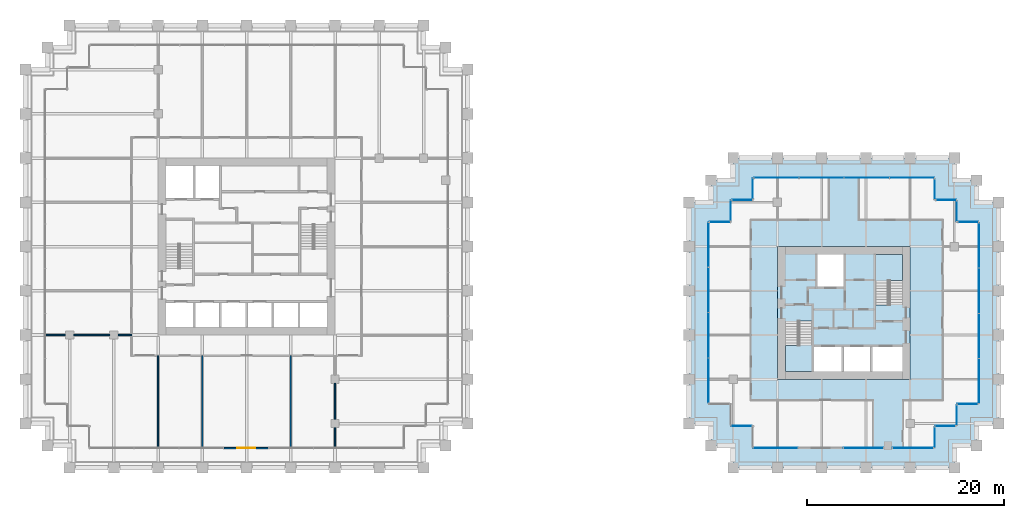
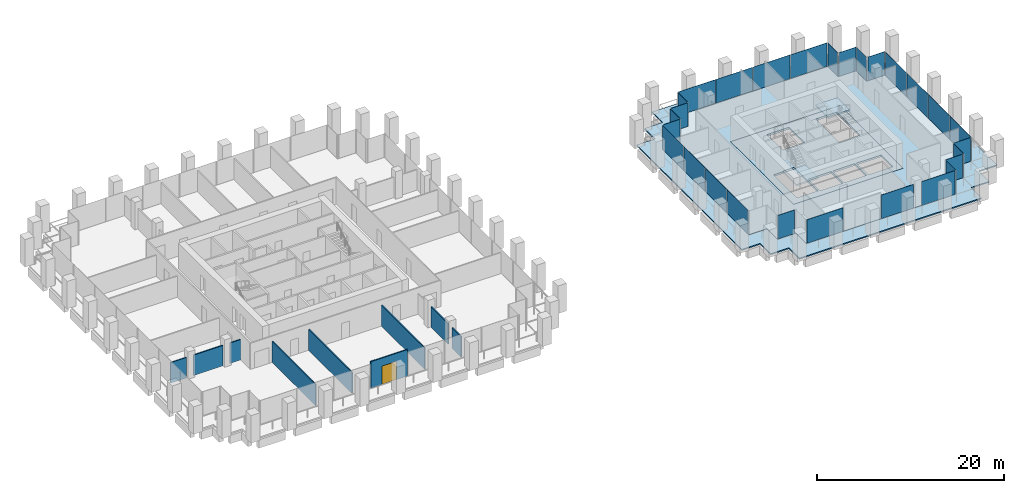
# One storey, part 48 of 55: 28 plates, 9 walls, 5 slabs, 1 door, 1 opening, 21 elements without a shape of their own.
"""IFC4 building model written with IfcOpenShell, lengths in metres."""

import ifcopenshell
import ifcopenshell.guid

model = None  # the IFC model being written
_history = None  # IfcOwnerHistory: only IFC2X3 demands one
_inside = {}  # id of a spatial element -> (the spatial element, [elements in it])
_under = {}  # id of a project, library or spatial element -> (it, [spatial elements below it])
_declared = {}  # id of a project -> (the project, [libraries it declares])
_typed = {}  # id of a type object -> (the type object, [elements of that type])
_made_of = {}  # id of a material, layer set ... -> (it, [elements and type objects made of it])


def new_model(schema):
    """Start an empty IFC model of exactly this schema.

    Asked for "IFC4X3", IfcOpenShell would pick the latest addendum, in which some entities
    have other attributes; the version numbers below select the first issue.
    IFC2X3 requires an IfcOwnerHistory on every rooted entity: one is made here for all.
    """
    global model, _history
    if schema == "IFC4X3":
        model = ifcopenshell.file(schema_version=(4, 3, 0, 0))
    else:
        model = ifcopenshell.file(schema=schema)
    _inside.clear()
    _under.clear()
    _declared.clear()
    _typed.clear()
    _made_of.clear()
    _history = None
    if model.schema == "IFC2X3":
        org = make("IfcOrganization", Name="unknown")
        user = make(
            "IfcPersonAndOrganization",
            ThePerson=make("IfcPerson", FamilyName="unknown"),
            TheOrganization=org,
        )
        app = make(
            "IfcApplication",
            ApplicationDeveloper=org,
            Version="unknown",
            ApplicationFullName="unknown",
            ApplicationIdentifier="unknown",
        )
        _history = make(
            "IfcOwnerHistory",
            OwningUser=user,
            OwningApplication=app,
            ChangeAction="ADDED",
            CreationDate=0,
        )
    return model


def make(cls, **values):
    """One entity of the class cls with the attributes given. An attribute that is None is left unset."""
    return model.create_entity(
        cls, **{name: value for name, value in values.items() if value is not None}
    )


def rooted(cls, **values):
    """An entity with a GlobalId (a new one), such as an element, a storey or a relation."""
    return make(cls, GlobalId=ifcopenshell.guid.new(), OwnerHistory=_history, **values)


def si_unit(unit_type, name, prefix=None):
    """IfcSIUnit, for example si_unit("LENGTHUNIT", "METRE", prefix="MILLI")."""
    return make("IfcSIUnit", UnitType=unit_type, Prefix=prefix, Name=name)


def assignment(units):
    """IfcUnitAssignment: the units of a project."""
    return None if units is None else make("IfcUnitAssignment", Units=units)


def point(xyz):
    """IfcCartesianPoint."""
    return None if xyz is None else make("IfcCartesianPoint", Coordinates=xyz)


def direction(xyz):
    """IfcDirection."""
    return None if xyz is None else make("IfcDirection", DirectionRatios=xyz)


def frame(location, z_axis=None, x_axis=None):
    """IfcAxis2Placement3D, a coordinate frame: its origin and axes. An axis left out is left unset."""
    return make(
        "IfcAxis2Placement3D",
        Location=point(location),
        Axis=direction(z_axis),
        RefDirection=direction(x_axis),
    )


def frame_2d(location, x_axis=None):
    """IfcAxis2Placement2D, a coordinate frame in the plane: its origin and x axis."""
    return make(
        "IfcAxis2Placement2D", Location=point(location), RefDirection=direction(x_axis)
    )


def origin():
    """The frame at (0, 0, 0) with its axes left unset."""
    return frame((0.0, 0.0, 0.0))


def origin_2d():
    """The frame at (0, 0) in the plane with its x axis left unset."""
    return frame_2d((0.0, 0.0))


def place(relative_to, where):
    """IfcLocalPlacement: puts the frame where relative to a parent placement (None: the world)."""
    return make(
        "IfcLocalPlacement", PlacementRelTo=relative_to, RelativePlacement=where
    )


def context(
    kind, dimensions, precision=None, world=None, true_north=None, identifier=None
):
    """IfcGeometricRepresentationContext, for example the 3D "Model" context."""
    return make(
        "IfcGeometricRepresentationContext",
        ContextIdentifier=identifier,
        ContextType=kind,
        CoordinateSpaceDimension=dimensions,
        Precision=precision,
        WorldCoordinateSystem=world,
        TrueNorth=true_north,
    )


def subcontext(parent, identifier, kind, view, scale=None):
    """IfcGeometricRepresentationSubContext, for example "Body" below "Model"."""
    return make(
        "IfcGeometricRepresentationSubContext",
        ContextIdentifier=identifier,
        ContextType=kind,
        ParentContext=parent,
        TargetScale=scale,
        TargetView=view,
    )


def project(units=None, contexts=None):
    """IfcProject with its units and contexts."""
    return rooted(
        "IfcProject",
        Name="project",
        RepresentationContexts=contexts,
        UnitsInContext=assignment(units),
    )


def spatial(cls, under=None, at=None, **own):
    """A site, building, storey or space (cls), placed at a placement, below another one or the project."""
    s = rooted(cls, ObjectPlacement=at, **own)
    if under is not None:
        _under.setdefault(under.id(), (under, []))[1].append(s)
    return s


def polyline(points):
    """IfcPolyline through the points."""
    return make("IfcPolyline", Points=[point(p) for p in points])


def profile(cls, at=None, kind="AREA", **sizes):
    """A parametric profile (cls). Its sizes go by their IFC names, for example OverallWidth=200.0."""
    return make(cls, ProfileType=kind, Position=at, **sizes)


def rectangle(**sizes):
    """IfcRectangleProfileDef."""
    return profile("IfcRectangleProfileDef", **sizes)


def outline(outer, holes=None, kind="AREA"):
    """IfcArbitraryClosedProfileDef: a profile drawn as a closed curve; with holes, ...WithVoids."""
    if holes is None:
        return make("IfcArbitraryClosedProfileDef", ProfileType=kind, OuterCurve=outer)
    return make(
        "IfcArbitraryProfileDefWithVoids",
        ProfileType=kind,
        OuterCurve=outer,
        InnerCurves=holes,
    )


def extrude(swept, where, along, depth):
    """IfcExtrudedAreaSolid: the profile swept, set in the frame where, extruded along a direction by depth."""
    return make(
        "IfcExtrudedAreaSolid",
        SweptArea=swept,
        Position=where,
        ExtrudedDirection=direction(along),
        Depth=depth,
    )


def shape(context_of_items, identifier, shape_type, items):
    """IfcShapeRepresentation: the items that make up one representation, for example the "Body"."""
    return make(
        "IfcShapeRepresentation",
        ContextOfItems=context_of_items,
        RepresentationIdentifier=identifier,
        RepresentationType=shape_type,
        Items=items,
    )


def material(Name=None, Category=None):
    """IfcMaterial."""
    return make("IfcMaterial", Name=Name, Category=Category)


def layer(
    of_material, thickness, ventilated=None, Name=None, Category=None, Priority=None
):
    """IfcMaterialLayer: one layer of a wall or slab, of a material (None: an air gap)."""
    return make(
        "IfcMaterialLayer",
        Material=of_material,
        LayerThickness=thickness,
        IsVentilated=ventilated,
        Name=Name,
        Category=Category,
        Priority=Priority,
    )


def layer_set(layers, Name=None):
    """IfcMaterialLayerSet."""
    return make("IfcMaterialLayerSet", MaterialLayers=layers, LayerSetName=Name)


def made_of(thing, what):
    """Note that an element or type object is made of a material, layer set ...; save() writes the relation."""
    if what is not None:
        _made_of.setdefault(what.id(), (what, []))[1].append(thing)
    return thing


def type_object(cls, material=None, **own):
    """A type object (cls), such as IfcWallType, which elements share."""
    return made_of(rooted(cls, **own), material)


def element(
    cls,
    number,
    at=None,
    inside=None,
    cuts=None,
    type_object=None,
    material=None,
    context=None,
    identifier="Body",
    shape_type=None,
    held_by="IfcProductDefinitionShape",
    body=None,
    shapes=None,
    **own,
):
    """One element of the class cls, such as IfcWall. Its Tag is "e" and its number.

    at: its placement. inside: the storey or other place that contains it. cuts: it is an
    opening in that element (IfcRelVoidsElement). A single representation is given by context,
    identifier, shape_type and body (its items); several are given by shapes. held_by: the class
    of the entity that holds the representations. save() writes the other relations.
    """
    e = rooted(cls, Tag="e%d" % number, ObjectPlacement=at, **own)
    if body is not None:
        shapes = [shape(context, identifier, shape_type, body)]
    if shapes is not None:
        e.Representation = make(held_by, Representations=shapes)
    if inside is not None:
        _inside.setdefault(inside.id(), (inside, []))[1].append(e)
    if cuts is not None:
        rooted(
            "IfcRelVoidsElement", RelatingBuildingElement=cuts, RelatedOpeningElement=e
        )
    if type_object is not None:
        _typed.setdefault(type_object.id(), (type_object, []))[1].append(e)
    return made_of(e, material)


def fill(opening, filler):
    """IfcRelFillsElement: the door or window that sits in an opening."""
    return rooted(
        "IfcRelFillsElement",
        RelatingOpeningElement=opening,
        RelatedBuildingElement=filler,
    )


def aggregate(whole, parts):
    """IfcRelAggregates: a whole, such as a stair, and the parts it consists of."""
    return rooted("IfcRelAggregates", RelatingObject=whole, RelatedObjects=parts)


def save(model, path):
    """Write the relations noted so far, then the file.

    IfcRelAggregates (storeys below a building ...), IfcRelContainedInSpatialStructure (elements
    in a storey), IfcRelDefinesByType, IfcRelAssociatesMaterial and IfcRelDeclares: one each for
    every whole, place, type object, material and project.
    """
    for whole, parts in _under.values():
        aggregate(whole, parts)
    for where, things in _inside.values():
        rooted(
            "IfcRelContainedInSpatialStructure",
            RelatedElements=things,
            RelatingStructure=where,
        )
    for kind, things in _typed.values():
        rooted("IfcRelDefinesByType", RelatedObjects=things, RelatingType=kind)
    for what, things in _made_of.values():
        rooted("IfcRelAssociatesMaterial", RelatedObjects=things, RelatingMaterial=what)
    for by, libraries in _declared.values():
        rooted("IfcRelDeclares", RelatingContext=by, RelatedDefinitions=libraries)
    model.write(path)


model = new_model("IFC4")

# Units and contexts
model_context = context("Model", 3, precision=1e-05, world=origin(), true_north=direction((0.0, 1.0)))
body_context = subcontext(model_context, "Body", "Model", "MODEL_VIEW")
ifc_project = project(units=[si_unit("LENGTHUNIT", "METRE"), si_unit("AREAUNIT", "SQUARE_METRE"), si_unit("VOLUMEUNIT", "CUBIC_METRE"), si_unit("PLANEANGLEUNIT", "RADIAN"), si_unit("MASSUNIT", "GRAM", prefix="KILO")], contexts=[model_context])

# Site, building, storey
site_placement = place(None, origin())
site = spatial("IfcSite", under=ifc_project, at=site_placement, CompositionType="ELEMENT")
building_placement = place(site_placement, origin())
building = spatial("IfcBuilding", under=site, at=building_placement, Name="Altepetl Exchange Towers", CompositionType="ELEMENT")
storey_placement = place(building_placement, frame((0.0, 0.0, 47.39990234375)))
storey = spatial("IfcBuildingStorey", under=building, at=storey_placement, Name="L10", CompositionType="ELEMENT", Elevation=47.39990234375)

# Slabs
ifc_material_1 = material(Name="Concrete C40/50", Category="concrete")
ifc_layer_1 = layer(ifc_material_1, 0.14990234375)
ifc_layer_set_1 = layer_set([ifc_layer_1], Name="Concrete C40/50")
slab_type_1 = type_object("IfcSlabType", Name="Composite floor slab 150", PredefinedType="FLOOR", material=ifc_layer_set_1)
slab_1_placement = place(storey_placement, frame((0.0, 0.0, -0.14990234375)))
element("IfcSlab", 1, at=slab_1_placement, inside=storey, type_object=slab_type_1, Name="slab:B:L10:strip0", PredefinedType="FLOOR", context=body_context, shape_type="SweptSolid", body=[
    extrude(outline(polyline([(98.75, 54.25), (98.75, 52.0), (96.5, 52.0), (96.5, 33.5), (98.75, 33.5), (98.75, 31.25), (101.0, 31.25), (101.0, 29.0), (119.5, 29.0), (119.5, 31.25), (121.75, 31.25), (121.75, 33.5), (124.0, 33.5), (124.0, 52.0), (121.75, 52.0), (121.75, 54.25), (119.5, 54.25), (119.5, 56.5), (101.0, 56.5), (101.0, 54.25), (98.75, 54.25)]), holes=[polyline([(117.0, 49.5), (117.0, 36.0), (103.5, 36.0), (103.5, 49.5), (117.0, 49.5)])]), origin(), (0.0, 0.0, 1.0), 0.14990234375),
])
ifc_layer_2 = layer(ifc_material_1, 0.25)
ifc_layer_set_2 = layer_set([ifc_layer_2], Name="Concrete C40/50")
slab_type_2 = type_object("IfcSlabType", Name="Core floor slab 250", PredefinedType="FLOOR", material=ifc_layer_set_2)
slab_2_placement = place(storey_placement, frame((0.0, 0.0, -0.25)))
element("IfcSlab", 2, at=slab_2_placement, inside=storey, type_object=slab_type_2, Name="slab:B:L10:core0", PredefinedType="FLOOR", context=body_context, shape_type="SweptSolid", body=[
    extrude(outline(polyline([(103.5, 36.0), (117.0, 36.0), (117.0, 49.5), (103.5, 49.5), (103.5, 36.0)]), holes=[polyline([(107.199951171875, 36.800048828125), (107.199951171875, 39.300048828125), (110.032958984375, 39.300048828125), (110.032958984375, 36.800048828125), (107.199951171875, 36.800048828125)]), polyline([(110.23291015625, 39.300048828125), (112.967041015625, 39.300048828125), (112.967041015625, 36.800048828125), (110.23291015625, 36.800048828125), (110.23291015625, 39.300048828125)]), polyline([(113.1669921875, 39.300048828125), (116.199951171875, 39.300048828125), (116.199951171875, 36.800048828125), (113.1669921875, 36.800048828125), (113.1669921875, 39.300048828125)]), polyline([(107.0, 36.89990234375), (104.39990234375, 36.89990234375), (104.39990234375, 41.85009765625), (105.60009765625, 41.85009765625), (105.60009765625, 41.948974609375), (107.0, 41.948974609375), (107.0, 36.89990234375)]), polyline([(116.10009765625, 48.60009765625), (116.10009765625, 43.64990234375), (114.89990234375, 43.64990234375), (114.89990234375, 43.551025390625), (113.5, 43.551025390625), (113.5, 48.60009765625), (116.10009765625, 48.60009765625)]), polyline([(107.532958984375, 48.699951171875), (110.26708984375, 48.699951171875), (110.26708984375, 45.39990234375), (107.532958984375, 45.39990234375), (107.532958984375, 48.699951171875)])]), origin(), (0.0, 0.0, 1.0), 0.25),
])

# Curtain wall, plate
ifc_material_2 = material(Name="Aluminium 6063-T6 glazing", Category="aluminium")
curtain_wall_type = type_object("IfcCurtainWallType", Name="Loggia glazing system", PredefinedType="NOTDEFINED", material=ifc_material_2)
curtain_wall_1_placement = place(storey_placement, origin())
curtain_wall_1 = element("IfcCurtainWall", 3, at=curtain_wall_1_placement, inside=storey, type_object=curtain_wall_type, Name="CW1 run", PredefinedType="NOTDEFINED")
ifc_material_3 = material(Name="Glass 6-16-6 low emissivity", Category="glass")
ifc_layer_3 = layer(ifc_material_3, 0.028076171875)
ifc_layer_set_3 = layer_set([ifc_layer_3], Name="Glass 6-16-6 low emissivity")
plate_type = type_object("IfcPlateType", Name="Glass panel 28 double glazed", PredefinedType="CURTAIN_PANEL", material=ifc_layer_set_3)
plate_1_placement = place(storey_placement, frame((97.66259765625, 52.0, 0.0), z_axis=(0.0, 0.0, 1.0), x_axis=(-1.0, 0.0, 0.0)))
plate_1 = element("IfcPlate", 4, at=plate_1_placement, type_object=plate_type, Name="GP1 panel", PredefinedType="CURTAIN_PANEL", context=body_context, shape_type="SweptSolid", body=[
    extrude(rectangle(XDim=2.054931640625, YDim=0.028076171875, at=origin_2d()), origin(), (0.0, 0.0, 1.0), 3.10009765625),
])
aggregate(curtain_wall_1, [plate_1])

# Curtain wall, plates
curtain_wall_2_placement = place(storey_placement, origin())
curtain_wall_2 = element("IfcCurtainWall", 5, at=curtain_wall_2_placement, inside=storey, type_object=curtain_wall_type, Name="CW1 run", PredefinedType="NOTDEFINED")
plate_2_placement = place(storey_placement, frame((96.5, 49.681884765625, 0.0), z_axis=(0.0, 0.0, 1.0), x_axis=(0.0, -1.0, 0.0)))
plate_2 = element("IfcPlate", 6, at=plate_2_placement, type_object=plate_type, Name="GP1 panel", PredefinedType="CURTAIN_PANEL", context=body_context, shape_type="SweptSolid", body=[
    extrude(rectangle(XDim=4.516357421875, YDim=0.028076171875, at=origin_2d()), origin(), (0.0, 0.0, 1.0), 3.10009765625),
])
plate_3_placement = place(storey_placement, frame((96.5, 45.090576171875, 0.0), z_axis=(0.0, 0.0, 1.0), x_axis=(0.0, -1.0, 0.0)))
plate_3 = element("IfcPlate", 7, at=plate_3_placement, type_object=plate_type, Name="GP1 panel", PredefinedType="CURTAIN_PANEL", context=body_context, shape_type="SweptSolid", body=[
    extrude(rectangle(XDim=4.546142578125, YDim=0.028076171875, at=origin_2d()), origin(), (0.0, 0.0, 1.0), 3.10009765625),
])
plate_4_placement = place(storey_placement, frame((96.5, 40.484375, 0.0), z_axis=(0.0, 0.0, 1.0), x_axis=(0.0, -1.0, 0.0)))
plate_4 = element("IfcPlate", 8, at=plate_4_placement, type_object=plate_type, Name="GP1 panel", PredefinedType="CURTAIN_PANEL", context=body_context, shape_type="SweptSolid", body=[
    extrude(rectangle(XDim=4.546142578125, YDim=0.028076171875, at=origin_2d()), origin(), (0.0, 0.0, 1.0), 3.10009765625),
])
plate_5_placement = place(storey_placement, frame((96.5, 35.89306640625, 0.0), z_axis=(0.0, 0.0, 1.0), x_axis=(0.0, -1.0, 0.0)))
plate_5 = element("IfcPlate", 9, at=plate_5_placement, type_object=plate_type, Name="GP1 panel", PredefinedType="CURTAIN_PANEL", context=body_context, shape_type="SweptSolid", body=[
    extrude(rectangle(XDim=4.516357421875, YDim=0.028076171875, at=origin_2d()), origin(), (0.0, 0.0, 1.0), 3.10009765625),
])
aggregate(curtain_wall_2, [plate_2, plate_3, plate_4, plate_5])

# Curtain wall, plate
curtain_wall_3_placement = place(storey_placement, origin())
curtain_wall_3 = element("IfcCurtainWall", 10, at=curtain_wall_3_placement, inside=storey, type_object=curtain_wall_type, Name="CW1 run", PredefinedType="NOTDEFINED")
plate_6_placement = place(storey_placement, frame((99.83740234375, 31.25, 0.0)))
plate_6 = element("IfcPlate", 11, at=plate_6_placement, type_object=plate_type, Name="GP1 panel", PredefinedType="CURTAIN_PANEL", context=body_context, shape_type="SweptSolid", body=[
    extrude(rectangle(XDim=2.054931640625, YDim=0.028076171875, at=origin_2d()), origin(), (0.0, 0.0, 1.0), 3.10009765625),
])
aggregate(curtain_wall_3, [plate_6])

curtain_wall_4_placement = place(storey_placement, origin())
curtain_wall_4 = element("IfcCurtainWall", 12, at=curtain_wall_4_placement, inside=storey, type_object=curtain_wall_type, Name="CW1 run", PredefinedType="NOTDEFINED")
plate_7_placement = place(storey_placement, frame((103.30322265625, 29.0, 0.0)))
plate_7 = element("IfcPlate", 13, at=plate_7_placement, type_object=plate_type, Name="GP1 panel", PredefinedType="CURTAIN_PANEL", context=body_context, shape_type="SweptSolid", body=[
    extrude(rectangle(XDim=4.486328125, YDim=0.028076171875, at=origin_2d()), origin(), (0.0, 0.0, 1.0), 3.10009765625),
])
aggregate(curtain_wall_4, [plate_7])

curtain_wall_5_placement = place(storey_placement, origin())
curtain_wall_5 = element("IfcCurtainWall", 14, at=curtain_wall_5_placement, inside=storey, type_object=curtain_wall_type, Name="CW1 run", PredefinedType="NOTDEFINED")
plate_8_placement = place(storey_placement, frame((112.2587890625, 29.0, 0.0)))
plate_8 = element("IfcPlate", 15, at=plate_8_placement, type_object=plate_type, Name="GP1 panel", PredefinedType="CURTAIN_PANEL", context=body_context, shape_type="SweptSolid", body=[
    extrude(rectangle(XDim=3.972412109375, YDim=0.028076171875, at=origin_2d()), origin(), (0.0, 0.0, 1.0), 3.10009765625),
])
aggregate(curtain_wall_5, [plate_8])

curtain_wall_6_placement = place(storey_placement, origin())
curtain_wall_6 = element("IfcCurtainWall", 16, at=curtain_wall_6_placement, inside=storey, type_object=curtain_wall_type, Name="CW1 run", PredefinedType="NOTDEFINED")
plate_9_placement = place(storey_placement, frame((117.31005859375, 29.0, 0.0)))
plate_9 = element("IfcPlate", 17, at=plate_9_placement, type_object=plate_type, Name="GP1 panel", PredefinedType="CURTAIN_PANEL", context=body_context, shape_type="SweptSolid", body=[
    extrude(rectangle(XDim=4.110107421875, YDim=0.028076171875, at=origin_2d()), origin(), (0.0, 0.0, 1.0), 3.10009765625),
])
aggregate(curtain_wall_6, [plate_9])

curtain_wall_7_placement = place(storey_placement, origin())
curtain_wall_7 = element("IfcCurtainWall", 18, at=curtain_wall_7_placement, inside=storey, type_object=curtain_wall_type, Name="CW1 run", PredefinedType="NOTDEFINED")
plate_10_placement = place(storey_placement, frame((119.5, 30.08740234375, 0.0), z_axis=(0.0, 0.0, 1.0), x_axis=(0.0, 1.0, 0.0)))
plate_10 = element("IfcPlate", 19, at=plate_10_placement, type_object=plate_type, Name="GP1 panel", PredefinedType="CURTAIN_PANEL", context=body_context, shape_type="SweptSolid", body=[
    extrude(rectangle(XDim=2.054931640625, YDim=0.028076171875, at=origin_2d()), origin(), (0.0, 0.0, 1.0), 3.10009765625),
])
aggregate(curtain_wall_7, [plate_10])

curtain_wall_8_placement = place(storey_placement, origin())
curtain_wall_8 = element("IfcCurtainWall", 20, at=curtain_wall_8_placement, inside=storey, type_object=curtain_wall_type, Name="CW1 run", PredefinedType="NOTDEFINED")
plate_11_placement = place(storey_placement, frame((120.58740234375, 31.25, 0.0)))
plate_11 = element("IfcPlate", 21, at=plate_11_placement, type_object=plate_type, Name="GP1 panel", PredefinedType="CURTAIN_PANEL", context=body_context, shape_type="SweptSolid", body=[
    extrude(rectangle(XDim=2.054931640625, YDim=0.028076171875, at=origin_2d()), origin(), (0.0, 0.0, 1.0), 3.10009765625),
])
aggregate(curtain_wall_8, [plate_11])

curtain_wall_9_placement = place(storey_placement, origin())
curtain_wall_9 = element("IfcCurtainWall", 22, at=curtain_wall_9_placement, inside=storey, type_object=curtain_wall_type, Name="CW1 run", PredefinedType="NOTDEFINED")
plate_12_placement = place(storey_placement, frame((121.75, 32.33740234375, 0.0), z_axis=(0.0, 0.0, 1.0), x_axis=(0.0, 1.0, 0.0)))
plate_12 = element("IfcPlate", 23, at=plate_12_placement, type_object=plate_type, Name="GP1 panel", PredefinedType="CURTAIN_PANEL", context=body_context, shape_type="SweptSolid", body=[
    extrude(rectangle(XDim=2.054931640625, YDim=0.028076171875, at=origin_2d()), origin(), (0.0, 0.0, 1.0), 3.10009765625),
])
aggregate(curtain_wall_9, [plate_12])

curtain_wall_10_placement = place(storey_placement, origin())
curtain_wall_10 = element("IfcCurtainWall", 24, at=curtain_wall_10_placement, inside=storey, type_object=curtain_wall_type, Name="CW1 run", PredefinedType="NOTDEFINED")
plate_13_placement = place(storey_placement, frame((122.83740234375, 33.5, 0.0)))
plate_13 = element("IfcPlate", 25, at=plate_13_placement, type_object=plate_type, Name="GP1 panel", PredefinedType="CURTAIN_PANEL", context=body_context, shape_type="SweptSolid", body=[
    extrude(rectangle(XDim=2.054931640625, YDim=0.028076171875, at=origin_2d()), origin(), (0.0, 0.0, 1.0), 3.10009765625),
])
aggregate(curtain_wall_10, [plate_13])

# Curtain wall, plates
curtain_wall_11_placement = place(storey_placement, origin())
curtain_wall_11 = element("IfcCurtainWall", 26, at=curtain_wall_11_placement, inside=storey, type_object=curtain_wall_type, Name="CW1 run", PredefinedType="NOTDEFINED")
plate_14_placement = place(storey_placement, frame((124.0, 35.818115234375, 0.0), z_axis=(0.0, 0.0, 1.0), x_axis=(0.0, 1.0, 0.0)))
plate_14 = element("IfcPlate", 27, at=plate_14_placement, type_object=plate_type, Name="GP1 panel", PredefinedType="CURTAIN_PANEL", context=body_context, shape_type="SweptSolid", body=[
    extrude(rectangle(XDim=4.516357421875, YDim=0.028076171875, at=origin_2d()), origin(), (0.0, 0.0, 1.0), 3.10009765625),
])
plate_15_placement = place(storey_placement, frame((124.0, 40.409423828125, 0.0), z_axis=(0.0, 0.0, 1.0), x_axis=(0.0, 1.0, 0.0)))
plate_15 = element("IfcPlate", 28, at=plate_15_placement, type_object=plate_type, Name="GP1 panel", PredefinedType="CURTAIN_PANEL", context=body_context, shape_type="SweptSolid", body=[
    extrude(rectangle(XDim=4.546142578125, YDim=0.028076171875, at=origin_2d()), origin(), (0.0, 0.0, 1.0), 3.10009765625),
])
plate_16_placement = place(storey_placement, frame((124.0, 45.015625, 0.0), z_axis=(0.0, 0.0, 1.0), x_axis=(0.0, 1.0, 0.0)))
plate_16 = element("IfcPlate", 29, at=plate_16_placement, type_object=plate_type, Name="GP1 panel", PredefinedType="CURTAIN_PANEL", context=body_context, shape_type="SweptSolid", body=[
    extrude(rectangle(XDim=4.546142578125, YDim=0.028076171875, at=origin_2d()), origin(), (0.0, 0.0, 1.0), 3.10009765625),
])
plate_17_placement = place(storey_placement, frame((124.0, 49.60693359375, 0.0), z_axis=(0.0, 0.0, 1.0), x_axis=(0.0, 1.0, 0.0)))
plate_17 = element("IfcPlate", 30, at=plate_17_placement, type_object=plate_type, Name="GP1 panel", PredefinedType="CURTAIN_PANEL", context=body_context, shape_type="SweptSolid", body=[
    extrude(rectangle(XDim=4.516357421875, YDim=0.028076171875, at=origin_2d()), origin(), (0.0, 0.0, 1.0), 3.10009765625),
])
aggregate(curtain_wall_11, [plate_14, plate_15, plate_16, plate_17])

# Curtain wall, plate
curtain_wall_12_placement = place(storey_placement, origin())
curtain_wall_12 = element("IfcCurtainWall", 31, at=curtain_wall_12_placement, inside=storey, type_object=curtain_wall_type, Name="CW1 run", PredefinedType="NOTDEFINED")
plate_18_placement = place(storey_placement, frame((122.91259765625, 52.0, 0.0), z_axis=(0.0, 0.0, 1.0), x_axis=(-1.0, 0.0, 0.0)))
plate_18 = element("IfcPlate", 32, at=plate_18_placement, type_object=plate_type, Name="GP1 panel", PredefinedType="CURTAIN_PANEL", context=body_context, shape_type="SweptSolid", body=[
    extrude(rectangle(XDim=2.054931640625, YDim=0.028076171875, at=origin_2d()), origin(), (0.0, 0.0, 1.0), 3.10009765625),
])
aggregate(curtain_wall_12, [plate_18])

curtain_wall_13_placement = place(storey_placement, origin())
curtain_wall_13 = element("IfcCurtainWall", 33, at=curtain_wall_13_placement, inside=storey, type_object=curtain_wall_type, Name="CW1 run", PredefinedType="NOTDEFINED")
plate_19_placement = place(storey_placement, frame((121.75, 53.08740234375, 0.0), z_axis=(0.0, 0.0, 1.0), x_axis=(0.0, 1.0, 0.0)))
plate_19 = element("IfcPlate", 34, at=plate_19_placement, type_object=plate_type, Name="GP1 panel", PredefinedType="CURTAIN_PANEL", context=body_context, shape_type="SweptSolid", body=[
    extrude(rectangle(XDim=2.054931640625, YDim=0.028076171875, at=origin_2d()), origin(), (0.0, 0.0, 1.0), 3.10009765625),
])
aggregate(curtain_wall_13, [plate_19])

curtain_wall_14_placement = place(storey_placement, origin())
curtain_wall_14 = element("IfcCurtainWall", 35, at=curtain_wall_14_placement, inside=storey, type_object=curtain_wall_type, Name="CW1 run", PredefinedType="NOTDEFINED")
plate_20_placement = place(storey_placement, frame((120.66259765625, 54.25, 0.0), z_axis=(0.0, 0.0, 1.0), x_axis=(-1.0, 0.0, 0.0)))
plate_20 = element("IfcPlate", 36, at=plate_20_placement, type_object=plate_type, Name="GP1 panel", PredefinedType="CURTAIN_PANEL", context=body_context, shape_type="SweptSolid", body=[
    extrude(rectangle(XDim=2.054931640625, YDim=0.028076171875, at=origin_2d()), origin(), (0.0, 0.0, 1.0), 3.10009765625),
])
aggregate(curtain_wall_14, [plate_20])

curtain_wall_15_placement = place(storey_placement, origin())
curtain_wall_15 = element("IfcCurtainWall", 37, at=curtain_wall_15_placement, inside=storey, type_object=curtain_wall_type, Name="CW1 run", PredefinedType="NOTDEFINED")
plate_21_placement = place(storey_placement, frame((119.5, 55.33740234375, 0.0), z_axis=(0.0, 0.0, 1.0), x_axis=(0.0, 1.0, 0.0)))
plate_21 = element("IfcPlate", 38, at=plate_21_placement, type_object=plate_type, Name="GP1 panel", PredefinedType="CURTAIN_PANEL", context=body_context, shape_type="SweptSolid", body=[
    extrude(rectangle(XDim=2.054931640625, YDim=0.028076171875, at=origin_2d()), origin(), (0.0, 0.0, 1.0), 3.10009765625),
])
aggregate(curtain_wall_15, [plate_21])

# Curtain wall, plates
curtain_wall_16_placement = place(storey_placement, origin())
curtain_wall_16 = element("IfcCurtainWall", 39, at=curtain_wall_16_placement, inside=storey, type_object=curtain_wall_type, Name="CW1 run", PredefinedType="NOTDEFINED")
plate_22_placement = place(storey_placement, frame((117.181884765625, 56.5, 0.0), z_axis=(0.0, 0.0, 1.0), x_axis=(-1.0, 0.0, 0.0)))
plate_22 = element("IfcPlate", 40, at=plate_22_placement, type_object=plate_type, Name="GP1 panel", PredefinedType="CURTAIN_PANEL", context=body_context, shape_type="SweptSolid", body=[
    extrude(rectangle(XDim=4.516357421875, YDim=0.028076171875, at=origin_2d()), origin(), (0.0, 0.0, 1.0), 3.10009765625),
])
plate_23_placement = place(storey_placement, frame((112.590576171875, 56.5, 0.0), z_axis=(0.0, 0.0, 1.0), x_axis=(-1.0, 0.0, 0.0)))
plate_23 = element("IfcPlate", 41, at=plate_23_placement, type_object=plate_type, Name="GP1 panel", PredefinedType="CURTAIN_PANEL", context=body_context, shape_type="SweptSolid", body=[
    extrude(rectangle(XDim=4.546142578125, YDim=0.028076171875, at=origin_2d()), origin(), (0.0, 0.0, 1.0), 3.10009765625),
])
plate_24_placement = place(storey_placement, frame((107.984375, 56.5, 0.0), z_axis=(0.0, 0.0, 1.0), x_axis=(-1.0, 0.0, 0.0)))
plate_24 = element("IfcPlate", 42, at=plate_24_placement, type_object=plate_type, Name="GP1 panel", PredefinedType="CURTAIN_PANEL", context=body_context, shape_type="SweptSolid", body=[
    extrude(rectangle(XDim=4.546142578125, YDim=0.028076171875, at=origin_2d()), origin(), (0.0, 0.0, 1.0), 3.10009765625),
])
plate_25_placement = place(storey_placement, frame((103.39306640625, 56.5, 0.0), z_axis=(0.0, 0.0, 1.0), x_axis=(-1.0, 0.0, 0.0)))
plate_25 = element("IfcPlate", 43, at=plate_25_placement, type_object=plate_type, Name="GP1 panel", PredefinedType="CURTAIN_PANEL", context=body_context, shape_type="SweptSolid", body=[
    extrude(rectangle(XDim=4.516357421875, YDim=0.028076171875, at=origin_2d()), origin(), (0.0, 0.0, 1.0), 3.10009765625),
])
aggregate(curtain_wall_16, [plate_22, plate_23, plate_24, plate_25])

# Curtain wall, plate
curtain_wall_17_placement = place(storey_placement, origin())
curtain_wall_17 = element("IfcCurtainWall", 44, at=curtain_wall_17_placement, inside=storey, type_object=curtain_wall_type, Name="CW1 run", PredefinedType="NOTDEFINED")
plate_26_placement = place(storey_placement, frame((101.0, 55.41259765625, 0.0), z_axis=(0.0, 0.0, 1.0), x_axis=(0.0, -1.0, 0.0)))
plate_26 = element("IfcPlate", 45, at=plate_26_placement, type_object=plate_type, Name="GP1 panel", PredefinedType="CURTAIN_PANEL", context=body_context, shape_type="SweptSolid", body=[
    extrude(rectangle(XDim=2.054931640625, YDim=0.028076171875, at=origin_2d()), origin(), (0.0, 0.0, 1.0), 3.10009765625),
])
aggregate(curtain_wall_17, [plate_26])

curtain_wall_18_placement = place(storey_placement, origin())
curtain_wall_18 = element("IfcCurtainWall", 46, at=curtain_wall_18_placement, inside=storey, type_object=curtain_wall_type, Name="CW1 run", PredefinedType="NOTDEFINED")
plate_27_placement = place(storey_placement, frame((99.91259765625, 54.25, 0.0), z_axis=(0.0, 0.0, 1.0), x_axis=(-1.0, 0.0, 0.0)))
plate_27 = element("IfcPlate", 47, at=plate_27_placement, type_object=plate_type, Name="GP1 panel", PredefinedType="CURTAIN_PANEL", context=body_context, shape_type="SweptSolid", body=[
    extrude(rectangle(XDim=2.054931640625, YDim=0.028076171875, at=origin_2d()), origin(), (0.0, 0.0, 1.0), 3.10009765625),
])
aggregate(curtain_wall_18, [plate_27])

curtain_wall_19_placement = place(storey_placement, origin())
curtain_wall_19 = element("IfcCurtainWall", 48, at=curtain_wall_19_placement, inside=storey, type_object=curtain_wall_type, Name="CW1 run", PredefinedType="NOTDEFINED")
plate_28_placement = place(storey_placement, frame((98.75, 53.16259765625, 0.0), z_axis=(0.0, 0.0, 1.0), x_axis=(0.0, -1.0, 0.0)))
plate_28 = element("IfcPlate", 49, at=plate_28_placement, type_object=plate_type, Name="GP1 panel", PredefinedType="CURTAIN_PANEL", context=body_context, shape_type="SweptSolid", body=[
    extrude(rectangle(XDim=2.054931640625, YDim=0.028076171875, at=origin_2d()), origin(), (0.0, 0.0, 1.0), 3.10009765625),
])
aggregate(curtain_wall_19, [plate_28])

# Slab
ifc_layer_4 = layer(ifc_material_1, 0.14990234375)
ifc_layer_set_4 = layer_set([ifc_layer_4], Name="Concrete C40/50")
slab_type_3 = type_object("IfcSlabType", Name="Loggia slab 150", PredefinedType="FLOOR", material=ifc_layer_set_4)
slab_3_placement = place(storey_placement, frame((0.0, 0.0, -0.14990234375)))
element("IfcSlab", 50, at=slab_3_placement, inside=storey, type_object=slab_type_3, Name="slab:B:L10:loggia0", PredefinedType="FLOOR", context=body_context, shape_type="SweptSolid", body=[
    extrude(outline(polyline([(96.75, 54.0), (94.5, 54.0), (94.5, 36.0), (94.5, 31.5), (96.75, 31.5), (96.75, 29.25), (99.0, 29.25), (99.0, 27.0), (117.0, 27.0), (121.5, 27.0), (121.5, 29.25), (123.75, 29.25), (123.75, 31.5), (126.0, 31.5), (126.0, 49.5), (126.0, 54.0), (123.75, 54.0), (123.75, 56.25), (121.5, 56.25), (121.5, 58.5), (103.5, 58.5), (99.0, 58.5), (99.0, 56.25), (96.75, 56.25), (96.75, 54.0)]), holes=[polyline([(96.5, 52.0), (98.75, 52.0), (98.75, 54.25), (101.0, 54.25), (101.0, 56.5), (119.5, 56.5), (119.5, 54.25), (121.75, 54.25), (121.75, 52.0), (124.0, 52.0), (124.0, 33.5), (121.75, 33.5), (121.75, 31.25), (119.5, 31.25), (119.5, 29.0), (101.0, 29.0), (101.0, 31.25), (98.75, 31.25), (98.75, 33.5), (96.5, 33.5), (96.5, 52.0)])]), origin(), (0.0, 0.0, 1.0), 0.14990234375),
])

# Stair, slab
stair_type = type_object("IfcStairType", Name="Exit stair 1300 flights dogleg", PredefinedType="HALF_TURN_STAIR", material=ifc_material_1)
stair_1_placement = place(storey_placement, origin())
stair_1 = element("IfcStair", 51, at=stair_1_placement, inside=storey, type_object=stair_type, Name="Exit stair 1", PredefinedType="HALF_TURN_STAIR")
ifc_layer_5 = layer(ifc_material_1, 0.199951171875)
ifc_layer_set_5 = layer_set([ifc_layer_5], Name="Concrete C40/50")
slab_type_4 = type_object("IfcSlabType", Name="Stair landing 200 reinforced concrete", PredefinedType="LANDING", material=ifc_layer_set_5)
slab_4_placement = place(storey_placement, frame((0.0, 0.0, 1.60009765625)))
slab_4 = element("IfcSlab", 52, at=slab_4_placement, type_object=slab_type_4, Name="ST-B1c landing 1", PredefinedType="LANDING", context=body_context, shape_type="SweptSolid", body=[
    extrude(outline(polyline([(107.0, 36.800048828125), (104.300048828125, 36.800048828125), (104.300048828125, 39.429931640625), (104.300048828125, 39.4306640625), (105.60009765625, 39.4306640625), (105.60009765625, 39.429931640625), (105.699951171875, 39.429931640625), (105.699951171875, 39.530029296875), (107.0, 39.530029296875), (107.0, 39.429931640625), (107.0, 36.800048828125)])), origin(), (0.0, 0.0, 1.0), 0.199951171875),
])
aggregate(stair_1, [slab_4])

stair_2_placement = place(storey_placement, origin())
stair_2 = element("IfcStair", 53, at=stair_2_placement, inside=storey, type_object=stair_type, Name="Exit stair 2", PredefinedType="HALF_TURN_STAIR")
slab_5_placement = place(storey_placement, frame((0.0, 0.0, 1.60009765625)))
slab_5 = element("IfcSlab", 54, at=slab_5_placement, type_object=slab_type_4, Name="ST-B2c landing 1", PredefinedType="LANDING", context=body_context, shape_type="SweptSolid", body=[
    extrude(outline(polyline([(114.800048828125, 45.969970703125), (113.5, 45.969970703125), (113.5, 46.070068359375), (113.5, 48.699951171875), (116.199951171875, 48.699951171875), (116.199951171875, 46.070068359375), (116.199951171875, 46.0693359375), (114.89990234375, 46.0693359375), (114.89990234375, 46.070068359375), (114.800048828125, 46.070068359375), (114.800048828125, 45.969970703125)])), origin(), (0.0, 0.0, 1.0), 0.199951171875),
])
aggregate(stair_2, [slab_5])

# Wall, opening, door
ifc_material_4 = material(Name="Aluminium composite cladding", Category="aluminium")
ifc_layer_6 = layer(ifc_material_4, 0.14990234375)
ifc_layer_set_6 = layer_set([ifc_layer_6], Name="Aluminium composite cladding")
wall_type_1 = type_object("IfcWallType", Name="Infill wall 150 aluminium panel", PredefinedType="SOLIDWALL", material=ifc_layer_set_6)
wall_1_placement = place(storey_placement, frame((47.18212890625, 29.0, 0.0)))
wall_1 = element("IfcWall", 55, at=wall_1_placement, inside=storey, type_object=wall_type_1, Name="Loggia door bay wall", PredefinedType="SOLIDWALL", context=body_context, shape_type="SweptSolid", body=[
    extrude(rectangle(XDim=4.560791015625, YDim=0.14990234375, at=frame_2d((2.2802734375, 0.0))), origin(), (0.0, 0.0, 1.0), 3.4501953125),
])
opening_placement = place(wall_1_placement, frame((1.38037109375, 0.0, 0.0)))
opening = element("IfcOpeningElement", 56, at=opening_placement, cuts=wall_1, Name="Opening L10.A90", PredefinedType="OPENING", context=body_context, shape_type="SweptSolid", body=[
    extrude(rectangle(XDim=1.800048828125, YDim=2.39990234375, at=frame_2d((0.89990234375, 1.199951171875))), frame((0.0, 0.0849609375, 0.0), z_axis=(0.0, -1.0, 0.0), x_axis=(1.0, 0.0, 0.0)), (0.0, 0.0, 1.0), 0.169921875),
])
ifc_material_5 = material(Name="Aluminium 6063-T6 and glass", Category="aluminium")
door_type = type_object("IfcDoorType", Name="Glazed door pair 1800x2400", OperationType="DOUBLE_DOOR_DOUBLE_SWING", PredefinedType="NOTDEFINED", material=ifc_material_5)
door_placement = place(opening_placement, frame((1.800048828125, 0.0, 0.0), x_axis=(-1.0, 0.0, 0.0)))
door = element("IfcDoor", 57, at=door_placement, inside=storey, type_object=door_type, Name="Loggia door", OperationType="DOUBLE_DOOR_DOUBLE_SWING", OverallHeight=2.39990234375, OverallWidth=1.800048828125, PredefinedType="NOTDEFINED", context=body_context, shape_type="SweptSolid", body=[
    extrude(rectangle(XDim=1.800048828125, YDim=2.39990234375, at=frame_2d((0.89990234375, 1.199951171875))), frame((0.0, 0.02490234375, 0.0), z_axis=(0.0, -1.0, 0.0), x_axis=(1.0, 0.0, 0.0)), (0.0, 0.0, 1.0), 0.050048828125),
])
fill(opening, door)

# Walls
ifc_material_6 = material(Name="Gypsum board on steel studs", Category="steel")
ifc_layer_7 = layer(ifc_material_6, 0.125)
ifc_layer_set_7 = layer_set([ifc_layer_7], Name="Gypsum board on steel studs")
wall_type_2 = type_object("IfcWallType", Name="Partition 125 gypsum board on steel studs", PredefinedType="PARTITIONING", material=ifc_layer_set_7)
wall_2_placement = place(storey_placement, frame((29.10009765625, 40.5, 0.0)))
element("IfcWall", 58, at=wall_2_placement, inside=storey, type_object=wall_type_2, Name="wall:A:L10:P02", PredefinedType="PARTITIONING", context=body_context, shape_type="SweptSolid", body=[
    extrude(rectangle(XDim=1.974853515625, YDim=0.125, at=frame_2d((0.9873046875, 0.0))), origin(), (0.0, 0.0, 1.0), 2.676025390625),
])
wall_3_placement = place(storey_placement, frame((31.925048828125, 40.5, 0.0)))
element("IfcWall", 59, at=wall_3_placement, inside=storey, type_object=wall_type_2, Name="wall:A:L10:P03", PredefinedType="PARTITIONING", context=body_context, shape_type="SweptSolid", body=[
    extrude(rectangle(XDim=3.64990234375, YDim=0.125, at=frame_2d((1.824951171875, 0.0))), origin(), (0.0, 0.0, 1.0), 2.676025390625),
])
wall_4_placement = place(storey_placement, frame((36.425048828125, 40.5, 0.0)))
element("IfcWall", 60, at=wall_4_placement, inside=storey, type_object=wall_type_2, Name="wall:A:L10:P04", PredefinedType="PARTITIONING", context=body_context, shape_type="SweptSolid", body=[
    extrude(rectangle(XDim=1.375, YDim=0.125, at=frame_2d((0.6875, 0.0))), origin(), (0.0, 0.0, 1.0), 2.676025390625),
])
for number, where, z_axis, x_axis, name in (
    (61, (40.5, 29.10009765625, 0.0), (0.0, 0.0, 1.0), (0.0, 1.0, 0.0), "wall:A:L10:P16"),
    (62, (45.0, 29.10009765625, 0.0), (0.0, 0.0, 1.0), (0.0, 1.0, 0.0), "wall:A:L10:P20"),
    (63, (54.0, 29.10009765625, 0.0), (0.0, 0.0, 1.0), (0.0, 1.0, 0.0), "wall:A:L10:P23"),
):
    element("IfcWall", number, at=place(storey_placement, frame(where, z_axis=z_axis, x_axis=x_axis)), inside=storey, type_object=wall_type_2, Name=name, PredefinedType="PARTITIONING", context=body_context, shape_type="SweptSolid", body=[
        extrude(rectangle(XDim=9.2998046875, YDim=0.125, at=frame_2d((4.64990234375, 0.0))), origin(), (0.0, 0.0, 1.0), 2.76611328125),
    ])
wall_5_placement = place(storey_placement, frame((58.5, 29.10009765625, 0.0), z_axis=(0.0, 0.0, 1.0), x_axis=(0.0, 1.0, 0.0)))
element("IfcWall", 64, at=wall_5_placement, inside=storey, type_object=wall_type_2, Name="wall:A:L10:P25", PredefinedType="PARTITIONING", context=body_context, shape_type="SweptSolid", body=[
    extrude(rectangle(XDim=1.974853515625, YDim=0.125, at=frame_2d((0.9873046875, 0.0))), origin(), (0.0, 0.0, 1.0), 2.676025390625),
])
wall_6_placement = place(storey_placement, frame((58.5, 31.925048828125, 0.0), z_axis=(0.0, 0.0, 1.0), x_axis=(0.0, 1.0, 0.0)))
element("IfcWall", 65, at=wall_6_placement, inside=storey, type_object=wall_type_2, Name="wall:A:L10:P26", PredefinedType="PARTITIONING", context=body_context, shape_type="SweptSolid", body=[
    extrude(rectangle(XDim=3.64990234375, YDim=0.125, at=frame_2d((1.824951171875, 0.0))), origin(), (0.0, 0.0, 1.0), 2.676025390625),
])

save(model, "model.ifc")
